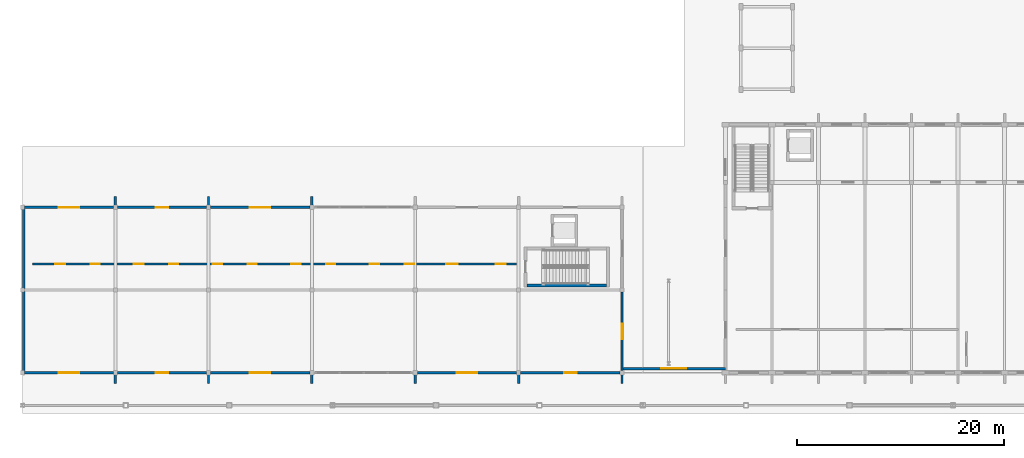
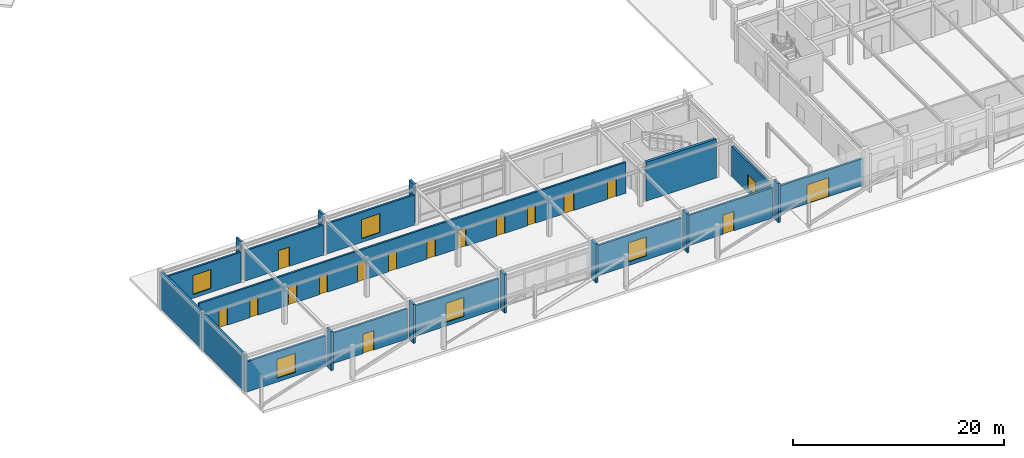
# One storey, part 25 of 61: 22 walls, 16 doors, 6 windows, 22 openings.
"""IFC4 building model written with IfcOpenShell, lengths in metres."""

from ifc_helpers import new_model, si_unit, direction, frame, frame_2d, origin, place, context, subcontext, project, spatial, rectangle, extrude, material, layer, layer_set, type_object, element, fill, save


model = new_model("IFC4")

# Units and contexts
model_context = context("Model", 3, precision=1e-05, world=origin(), true_north=direction((0.0, 1.0)))
body_context = subcontext(model_context, "Body", "Model", "MODEL_VIEW")
ifc_project = project(units=[si_unit("LENGTHUNIT", "METRE"), si_unit("AREAUNIT", "SQUARE_METRE"), si_unit("VOLUMEUNIT", "CUBIC_METRE"), si_unit("PLANEANGLEUNIT", "RADIAN"), si_unit("MASSUNIT", "GRAM", prefix="KILO")], contexts=[model_context])

# Site, building, storey
site_placement = place(None, origin())
site = spatial("IfcSite", under=ifc_project, at=site_placement, CompositionType="ELEMENT")
building_placement = place(site_placement, origin())
building = spatial("IfcBuilding", under=site, at=building_placement, Name="Zimvara Arc Housing Community", CompositionType="ELEMENT")
storey_placement = place(building_placement, origin())
storey = spatial("IfcBuildingStorey", under=building, at=storey_placement, Name="L00", CompositionType="ELEMENT", Elevation=0.0)

# Wall, opening, door
ifc_material_1 = material(Name="Board-Marked Fair-Faced Concrete C35/45", Category="concrete")
ifc_layer_1 = layer(ifc_material_1, 0.219970703125)
ifc_layer_set_1 = layer_set([ifc_layer_1], Name="Board-Marked Fair-Faced Concrete C35/45")
wall_type_1 = type_object("IfcWallType", Name="EWL-CONC-220", PredefinedType="SOLIDWALL", material=ifc_layer_set_1)
wall_1_placement = place(storey_placement, frame((58.0, 4.0, 0.0), z_axis=(0.0, 0.0, 1.0), x_axis=(1.0, 0.0, 0.0)))
wall_1 = element("IfcWall", 1, at=wall_1_placement, inside=storey, type_object=wall_type_1, Name="ewall:gate_host:court_w", PredefinedType="SOLIDWALL", context=body_context, shape_type="SweptSolid", body=[
    extrude(rectangle(XDim=10.0, YDim=0.219970703125, at=frame_2d((5.0, 0.0))), origin(), (0.0, 0.0, 1.0), 3.10009765625),
])
opening_1_placement = place(wall_1_placement, frame((3.800048828125, 0.0, 0.0)))
opening_1 = element("IfcOpeningElement", 2, at=opening_1_placement, cuts=wall_1, Name="Opening GT02", PredefinedType="OPENING", context=body_context, shape_type="SweptSolid", body=[
    extrude(rectangle(XDim=2.39990234375, YDim=2.199951171875, at=frame_2d((1.199951171875, 1.10009765625))), frame((0.0, 0.119873046875, 0.0), z_axis=(0.0, -1.0, 0.0), x_axis=(1.0, 0.0, 0.0)), (0.0, 0.0, 1.0), 0.239990234375),
])
ifc_material_2 = material(Name="Anodised Aluminium AW-6063", Category="aluminium")
door_type_1 = type_object("IfcDoorType", Name="GTE-SERV-2400x2200", OperationType="DOUBLE_DOOR_SINGLE_SWING", PredefinedType="GATE", material=ifc_material_2)
door_1_placement = place(opening_1_placement, origin())
door_1 = element("IfcDoor", 3, at=door_1_placement, inside=storey, type_object=door_type_1, Name="gate:court_w", OperationType="DOUBLE_DOOR_SINGLE_SWING", OverallHeight=2.199951171875, OverallWidth=2.39990234375, PredefinedType="GATE", context=body_context, shape_type="SweptSolid", body=[
    extrude(rectangle(XDim=2.39990234375, YDim=2.199951171875, at=frame_2d((1.199951171875, 1.10009765625))), frame((0.0, 0.02490234375, 0.0), z_axis=(0.0, -1.0, 0.0), x_axis=(1.0, 0.0, 0.0)), (0.0, 0.0, 1.0), 0.050048828125),
])
fill(opening_1, door_1)

# Walls
ifc_material_3 = material(Name="Board-Marked Fair-Faced Concrete C35/45", Category="concrete")
ifc_layer_2 = layer(ifc_material_3, 0.219970703125)
ifc_layer_set_2 = layer_set([ifc_layer_2], Name="Board-Marked Fair-Faced Concrete C35/45")
wall_type_2 = type_object("IfcWallType", Name="EWL-PARA-220", PredefinedType="PARAPET", material=ifc_layer_set_2)
for number, where, z_axis, x_axis, name in (
    (4, (9.0, 2.550048828125, 0.0), (0.0, 0.0, 1.0), (0.0, 1.0, 0.0), "finwall:shops:L00:s:1"),
    (5, (9.0, 19.780029296875, 0.0), (0.0, 0.0, 1.0), (0.0, 1.0, 0.0), "finwall:shops:L00:n:1"),
    (6, (18.0, 2.550048828125, 0.0), (0.0, 0.0, 1.0), (0.0, 1.0, 0.0), "finwall:shops:L00:s:2"),
    (7, (18.0, 19.780029296875, 0.0), (0.0, 0.0, 1.0), (0.0, 1.0, 0.0), "finwall:shops:L00:n:2"),
    (8, (28.0, 2.550048828125, 0.0), (0.0, 0.0, 1.0), (0.0, 1.0, 0.0), "finwall:shops:L00:s:3"),
    (9, (28.0, 19.780029296875, 0.0), (0.0, 0.0, 1.0), (0.0, 1.0, 0.0), "finwall:shops:L00:n:3"),
    (10, (38.0, 2.550048828125, 0.0), (0.0, 0.0, 1.0), (0.0, 1.0, 0.0), "finwall:shops:L00:s:4"),
    (11, (48.0, 2.550048828125, 0.0), (0.0, 0.0, 1.0), (0.0, 1.0, 0.0), "finwall:shops:L00:s:5"),
    (12, (58.0, 2.550048828125, 0.0), (0.0, 0.0, 1.0), (0.0, 1.0, 0.0), "finwall:shops:L00:s:6"),
):
    element("IfcWall", number, at=place(storey_placement, frame(where, z_axis=z_axis, x_axis=x_axis)), inside=storey, type_object=wall_type_2, Name=name, PredefinedType="PARAPET", context=body_context, shape_type="SweptSolid", body=[
        extrude(rectangle(XDim=0.869873046875, YDim=0.219970703125, at=frame_2d((0.43505859375, 0.0))), origin(), (0.0, 0.0, 1.0), 4.5),
    ])

# Wall, opening, window
ifc_material_4 = material(Name="Board-Marked Fair-Faced Concrete C35/45", Category="concrete")
ifc_layer_3 = layer(ifc_material_4, 0.215087890625)
ifc_layer_set_3 = layer_set([ifc_layer_3], Name="Board-Marked Fair-Faced Concrete C35/45")
wall_type_3 = type_object("IfcWallType", Name="EWL-SHOP-215", PredefinedType="SOLIDWALL", material=ifc_layer_set_3)
wall_2_placement = place(storey_placement, frame((0.195068359375, 3.60009765625, 0.0), z_axis=(0.0, 0.0, 1.0), x_axis=(1.0, 0.0, 0.0)))
wall_2 = element("IfcWall", 13, at=wall_2_placement, inside=storey, type_object=wall_type_3, Name="ewall:shops:L00:south:b0", PredefinedType="SOLIDWALL", context=body_context, shape_type="SweptSolid", body=[
    extrude(rectangle(XDim=8.60986328125, YDim=0.215087890625, at=frame_2d((4.304931640625, 0.0))), origin(), (0.0, 0.0, 1.0), 3.5),
])
opening_2_placement = place(wall_2_placement, frame((3.304931640625, 0.0, 0.449951171875)))
opening_2 = element("IfcOpeningElement", 14, at=opening_2_placement, cuts=wall_2, Name="Opening W19", PredefinedType="OPENING", context=body_context, shape_type="SweptSolid", body=[
    extrude(rectangle(XDim=2.0, YDim=2.199951171875, at=frame_2d((1.0, 1.10009765625))), frame((0.0, 0.117431640625, 0.0), z_axis=(0.0, -1.0, 0.0), x_axis=(1.0, 0.0, 0.0)), (0.0, 0.0, 1.0), 0.235107421875),
])
ifc_material_5 = material(Name="Solar Control Low-E Double Glazing", Category="glass")
window_type_1 = type_object("IfcWindowType", Name="WIN-SHOP-2000x2200", PartitioningType="DOUBLE_PANEL_VERTICAL", PredefinedType="WINDOW", material=ifc_material_5)
window_1_placement = place(opening_2_placement, origin())
window_1 = element("IfcWindow", 15, at=window_1_placement, inside=storey, type_object=window_type_1, Name="win:shops:L00:south:b0", OverallHeight=2.199951171875, OverallWidth=2.0, PartitioningType="DOUBLE_PANEL_VERTICAL", PredefinedType="WINDOW", context=body_context, shape_type="SweptSolid", body=[
    extrude(rectangle(XDim=2.0, YDim=2.199951171875, at=frame_2d((1.0, 1.10009765625))), frame((0.0, 0.030029296875, 0.0), z_axis=(0.0, -1.0, 0.0), x_axis=(1.0, 0.0, 0.0)), (0.0, 0.0, 1.0), 0.06005859375),
])
fill(opening_2, window_1)

# Wall, opening, door
wall_3_placement = place(storey_placement, frame((9.195068359375, 3.60009765625, 0.0), z_axis=(0.0, 0.0, 1.0), x_axis=(1.0, 0.0, 0.0)))
wall_3 = element("IfcWall", 16, at=wall_3_placement, inside=storey, type_object=wall_type_3, Name="ewall:shops:L00:south:b1", PredefinedType="SOLIDWALL", context=body_context, shape_type="SweptSolid", body=[
    extrude(rectangle(XDim=8.60986328125, YDim=0.215087890625, at=frame_2d((4.304931640625, 0.0))), origin(), (0.0, 0.0, 1.0), 3.5),
])
opening_3_placement = place(wall_3_placement, frame((3.705078125, 0.0, 0.0)))
opening_3 = element("IfcOpeningElement", 17, at=opening_3_placement, cuts=wall_3, Name="Opening ED04", PredefinedType="OPENING", context=body_context, shape_type="SweptSolid", body=[
    extrude(rectangle(XDim=1.199951171875, YDim=2.25, at=frame_2d((0.60009765625, 1.125))), frame((0.0, 0.117431640625, 0.0), z_axis=(0.0, -1.0, 0.0), x_axis=(1.0, 0.0, 0.0)), (0.0, 0.0, 1.0), 0.235107421875),
])
ifc_material_6 = material(Name="Anodised Aluminium AW-6063", Category="aluminium")
door_type_2 = type_object("IfcDoorType", Name="EDR-SHOP-1200x2250", OperationType="NOTDEFINED", PredefinedType="DOOR", material=ifc_material_6)
door_2_placement = place(opening_3_placement, origin())
door_2 = element("IfcDoor", 18, at=door_2_placement, inside=storey, type_object=door_type_2, Name="edoor:shops:L00:south:b1", OperationType="SINGLE_SWING_RIGHT", OverallHeight=2.25, OverallWidth=1.199951171875, PredefinedType="DOOR", context=body_context, shape_type="SweptSolid", body=[
    extrude(rectangle(XDim=1.199951171875, YDim=2.25, at=frame_2d((0.60009765625, 1.125))), frame((0.0, 0.02490234375, 0.0), z_axis=(0.0, -1.0, 0.0), x_axis=(1.0, 0.0, 0.0)), (0.0, 0.0, 1.0), 0.050048828125),
])
fill(opening_3, door_2)

# Wall, opening, window
wall_4_placement = place(storey_placement, frame((18.195068359375, 3.60009765625, 0.0), z_axis=(0.0, 0.0, 1.0), x_axis=(1.0, 0.0, 0.0)))
wall_4 = element("IfcWall", 19, at=wall_4_placement, inside=storey, type_object=wall_type_3, Name="ewall:shops:L00:south:b2", PredefinedType="SOLIDWALL", context=body_context, shape_type="SweptSolid", body=[
    extrude(rectangle(XDim=9.60986328125, YDim=0.215087890625, at=frame_2d((4.804931640625, 0.0))), origin(), (0.0, 0.0, 1.0), 3.5),
])
opening_4_placement = place(wall_4_placement, frame((3.804931640625, 0.0, 0.449951171875)))
opening_4 = element("IfcOpeningElement", 20, at=opening_4_placement, cuts=wall_4, Name="Opening W19", PredefinedType="OPENING", context=body_context, shape_type="SweptSolid", body=[
    extrude(rectangle(XDim=2.0, YDim=2.199951171875, at=frame_2d((1.0, 1.10009765625))), frame((0.0, 0.117431640625, 0.0), z_axis=(0.0, -1.0, 0.0), x_axis=(1.0, 0.0, 0.0)), (0.0, 0.0, 1.0), 0.235107421875),
])
window_2_placement = place(opening_4_placement, origin())
window_2 = element("IfcWindow", 21, at=window_2_placement, inside=storey, type_object=window_type_1, Name="win:shops:L00:south:b2", OverallHeight=2.199951171875, OverallWidth=2.0, PartitioningType="DOUBLE_PANEL_VERTICAL", PredefinedType="WINDOW", context=body_context, shape_type="SweptSolid", body=[
    extrude(rectangle(XDim=2.0, YDim=2.199951171875, at=frame_2d((1.0, 1.10009765625))), frame((0.0, 0.030029296875, 0.0), z_axis=(0.0, -1.0, 0.0), x_axis=(1.0, 0.0, 0.0)), (0.0, 0.0, 1.0), 0.06005859375),
])
fill(opening_4, window_2)

wall_5_placement = place(storey_placement, frame((38.195068359375, 3.60009765625, 0.0), z_axis=(0.0, 0.0, 1.0), x_axis=(1.0, 0.0, 0.0)))
wall_5 = element("IfcWall", 22, at=wall_5_placement, inside=storey, type_object=wall_type_3, Name="ewall:shops:L00:south:b4", PredefinedType="SOLIDWALL", context=body_context, shape_type="SweptSolid", body=[
    extrude(rectangle(XDim=9.60986328125, YDim=0.215087890625, at=frame_2d((4.804931640625, 0.0))), origin(), (0.0, 0.0, 1.0), 3.5),
])
opening_5_placement = place(wall_5_placement, frame((3.804931640625, 0.0, 0.449951171875)))
opening_5 = element("IfcOpeningElement", 23, at=opening_5_placement, cuts=wall_5, Name="Opening W19", PredefinedType="OPENING", context=body_context, shape_type="SweptSolid", body=[
    extrude(rectangle(XDim=2.0, YDim=2.199951171875, at=frame_2d((1.0, 1.10009765625))), frame((0.0, 0.117431640625, 0.0), z_axis=(0.0, -1.0, 0.0), x_axis=(1.0, 0.0, 0.0)), (0.0, 0.0, 1.0), 0.235107421875),
])
window_3_placement = place(opening_5_placement, origin())
window_3 = element("IfcWindow", 24, at=window_3_placement, inside=storey, type_object=window_type_1, Name="win:shops:L00:south:b4", OverallHeight=2.199951171875, OverallWidth=2.0, PartitioningType="DOUBLE_PANEL_VERTICAL", PredefinedType="WINDOW", context=body_context, shape_type="SweptSolid", body=[
    extrude(rectangle(XDim=2.0, YDim=2.199951171875, at=frame_2d((1.0, 1.10009765625))), frame((0.0, 0.030029296875, 0.0), z_axis=(0.0, -1.0, 0.0), x_axis=(1.0, 0.0, 0.0)), (0.0, 0.0, 1.0), 0.06005859375),
])
fill(opening_5, window_3)

# Wall, opening, door
wall_6_placement = place(storey_placement, frame((48.195068359375, 3.60009765625, 0.0), z_axis=(0.0, 0.0, 1.0), x_axis=(1.0, 0.0, 0.0)))
wall_6 = element("IfcWall", 25, at=wall_6_placement, inside=storey, type_object=wall_type_3, Name="ewall:shops:L00:south:b5", PredefinedType="SOLIDWALL", context=body_context, shape_type="SweptSolid", body=[
    extrude(rectangle(XDim=9.60986328125, YDim=0.215087890625, at=frame_2d((4.804931640625, 0.0))), origin(), (0.0, 0.0, 1.0), 3.5),
])
opening_6_placement = place(wall_6_placement, frame((4.205078125, 0.0, 0.0)))
opening_6 = element("IfcOpeningElement", 26, at=opening_6_placement, cuts=wall_6, Name="Opening ED04", PredefinedType="OPENING", context=body_context, shape_type="SweptSolid", body=[
    extrude(rectangle(XDim=1.199951171875, YDim=2.25, at=frame_2d((0.60009765625, 1.125))), frame((0.0, 0.117431640625, 0.0), z_axis=(0.0, -1.0, 0.0), x_axis=(1.0, 0.0, 0.0)), (0.0, 0.0, 1.0), 0.235107421875),
])
door_3_placement = place(opening_6_placement, origin())
door_3 = element("IfcDoor", 27, at=door_3_placement, inside=storey, type_object=door_type_2, Name="edoor:shops:L00:south:b5", OperationType="SINGLE_SWING_RIGHT", OverallHeight=2.25, OverallWidth=1.199951171875, PredefinedType="DOOR", context=body_context, shape_type="SweptSolid", body=[
    extrude(rectangle(XDim=1.199951171875, YDim=2.25, at=frame_2d((0.60009765625, 1.125))), frame((0.0, 0.02490234375, 0.0), z_axis=(0.0, -1.0, 0.0), x_axis=(1.0, 0.0, 0.0)), (0.0, 0.0, 1.0), 0.050048828125),
])
fill(opening_6, door_3)

# Wall, opening, window
wall_7_placement = place(storey_placement, frame((0.195068359375, 19.60009765625, 0.0), z_axis=(0.0, 0.0, 1.0), x_axis=(1.0, 0.0, 0.0)))
wall_7 = element("IfcWall", 28, at=wall_7_placement, inside=storey, type_object=wall_type_3, Name="ewall:shops:L00:north:b0", PredefinedType="SOLIDWALL", context=body_context, shape_type="SweptSolid", body=[
    extrude(rectangle(XDim=8.60986328125, YDim=0.215087890625, at=frame_2d((4.304931640625, 0.0))), origin(), (0.0, 0.0, 1.0), 3.5),
])
opening_7_placement = place(wall_7_placement, frame((3.304931640625, 0.0, 0.449951171875)))
opening_7 = element("IfcOpeningElement", 29, at=opening_7_placement, cuts=wall_7, Name="Opening W19", PredefinedType="OPENING", context=body_context, shape_type="SweptSolid", body=[
    extrude(rectangle(XDim=2.0, YDim=2.199951171875, at=frame_2d((1.0, 1.10009765625))), frame((0.0, 0.117431640625, 0.0), z_axis=(0.0, -1.0, 0.0), x_axis=(1.0, 0.0, 0.0)), (0.0, 0.0, 1.0), 0.235107421875),
])
window_4_placement = place(opening_7_placement, origin())
window_4 = element("IfcWindow", 30, at=window_4_placement, inside=storey, type_object=window_type_1, Name="win:shops:L00:north:b0", OverallHeight=2.199951171875, OverallWidth=2.0, PartitioningType="DOUBLE_PANEL_VERTICAL", PredefinedType="WINDOW", context=body_context, shape_type="SweptSolid", body=[
    extrude(rectangle(XDim=2.0, YDim=2.199951171875, at=frame_2d((1.0, 1.10009765625))), frame((0.0, 0.030029296875, 0.0), z_axis=(0.0, -1.0, 0.0), x_axis=(1.0, 0.0, 0.0)), (0.0, 0.0, 1.0), 0.06005859375),
])
fill(opening_7, window_4)

# Wall, opening, door
wall_8_placement = place(storey_placement, frame((9.195068359375, 19.60009765625, 0.0), z_axis=(0.0, 0.0, 1.0), x_axis=(1.0, 0.0, 0.0)))
wall_8 = element("IfcWall", 31, at=wall_8_placement, inside=storey, type_object=wall_type_3, Name="ewall:shops:L00:north:b1", PredefinedType="SOLIDWALL", context=body_context, shape_type="SweptSolid", body=[
    extrude(rectangle(XDim=8.60986328125, YDim=0.215087890625, at=frame_2d((4.304931640625, 0.0))), origin(), (0.0, 0.0, 1.0), 3.5),
])
opening_8_placement = place(wall_8_placement, frame((3.705078125, 0.0, 0.0)))
opening_8 = element("IfcOpeningElement", 32, at=opening_8_placement, cuts=wall_8, Name="Opening ED04", PredefinedType="OPENING", context=body_context, shape_type="SweptSolid", body=[
    extrude(rectangle(XDim=1.199951171875, YDim=2.25, at=frame_2d((0.60009765625, 1.125))), frame((0.0, 0.117431640625, 0.0), z_axis=(0.0, -1.0, 0.0), x_axis=(1.0, 0.0, 0.0)), (0.0, 0.0, 1.0), 0.235107421875),
])
door_4_placement = place(opening_8_placement, origin())
door_4 = element("IfcDoor", 33, at=door_4_placement, inside=storey, type_object=door_type_2, Name="edoor:shops:L00:north:b1", OperationType="SINGLE_SWING_RIGHT", OverallHeight=2.25, OverallWidth=1.199951171875, PredefinedType="DOOR", context=body_context, shape_type="SweptSolid", body=[
    extrude(rectangle(XDim=1.199951171875, YDim=2.25, at=frame_2d((0.60009765625, 1.125))), frame((0.0, 0.02490234375, 0.0), z_axis=(0.0, -1.0, 0.0), x_axis=(1.0, 0.0, 0.0)), (0.0, 0.0, 1.0), 0.050048828125),
])
fill(opening_8, door_4)

# Wall, opening, window
wall_9_placement = place(storey_placement, frame((18.195068359375, 19.60009765625, 0.0), z_axis=(0.0, 0.0, 1.0), x_axis=(1.0, 0.0, 0.0)))
wall_9 = element("IfcWall", 34, at=wall_9_placement, inside=storey, type_object=wall_type_3, Name="ewall:shops:L00:north:b2", PredefinedType="SOLIDWALL", context=body_context, shape_type="SweptSolid", body=[
    extrude(rectangle(XDim=9.60986328125, YDim=0.215087890625, at=frame_2d((4.804931640625, 0.0))), origin(), (0.0, 0.0, 1.0), 3.5),
])
opening_9_placement = place(wall_9_placement, frame((3.804931640625, 0.0, 0.449951171875)))
opening_9 = element("IfcOpeningElement", 35, at=opening_9_placement, cuts=wall_9, Name="Opening W19", PredefinedType="OPENING", context=body_context, shape_type="SweptSolid", body=[
    extrude(rectangle(XDim=2.0, YDim=2.199951171875, at=frame_2d((1.0, 1.10009765625))), frame((0.0, 0.117431640625, 0.0), z_axis=(0.0, -1.0, 0.0), x_axis=(1.0, 0.0, 0.0)), (0.0, 0.0, 1.0), 0.235107421875),
])
window_5_placement = place(opening_9_placement, origin())
window_5 = element("IfcWindow", 36, at=window_5_placement, inside=storey, type_object=window_type_1, Name="win:shops:L00:north:b2", OverallHeight=2.199951171875, OverallWidth=2.0, PartitioningType="DOUBLE_PANEL_VERTICAL", PredefinedType="WINDOW", context=body_context, shape_type="SweptSolid", body=[
    extrude(rectangle(XDim=2.0, YDim=2.199951171875, at=frame_2d((1.0, 1.10009765625))), frame((0.0, 0.030029296875, 0.0), z_axis=(0.0, -1.0, 0.0), x_axis=(1.0, 0.0, 0.0)), (0.0, 0.0, 1.0), 0.06005859375),
])
fill(opening_9, window_5)

wall_10_placement = place(storey_placement, frame((58.0, 3.794921875, 0.0), z_axis=(0.0, 0.0, 1.0), x_axis=(0.0, 1.0, 0.0)))
wall_10 = element("IfcWall", 37, at=wall_10_placement, inside=storey, type_object=wall_type_3, Name="ewall:shops:L00:east:b0", PredefinedType="SOLIDWALL", context=body_context, shape_type="SweptSolid", body=[
    extrude(rectangle(XDim=7.610107421875, YDim=0.215087890625, at=frame_2d((3.80517578125, 0.0))), origin(), (0.0, 0.0, 1.0), 3.5),
])
opening_10_placement = place(wall_10_placement, frame((3.054931640625, 0.0, 0.449951171875)))
opening_10 = element("IfcOpeningElement", 38, at=opening_10_placement, cuts=wall_10, Name="Opening W07", PredefinedType="OPENING", context=body_context, shape_type="SweptSolid", body=[
    extrude(rectangle(XDim=1.5, YDim=1.64990234375, at=frame_2d((0.75, 0.824951171875))), frame((0.0, 0.117431640625, 0.0), z_axis=(0.0, -1.0, 0.0), x_axis=(1.0, 0.0, 0.0)), (0.0, 0.0, 1.0), 0.235107421875),
])
ifc_material_7 = material(Name="Solar Control Low-E Double Glazing", Category="glass")
window_type_2 = type_object("IfcWindowType", Name="WIN-RES-1500x1650", PartitioningType="DOUBLE_PANEL_VERTICAL", PredefinedType="WINDOW", material=ifc_material_7)
window_6_placement = place(opening_10_placement, origin())
window_6 = element("IfcWindow", 39, at=window_6_placement, inside=storey, type_object=window_type_2, Name="win:shops:L00:east:b0", OverallHeight=1.64990234375, OverallWidth=1.5, PartitioningType="DOUBLE_PANEL_VERTICAL", PredefinedType="WINDOW", context=body_context, shape_type="SweptSolid", body=[
    extrude(rectangle(XDim=1.5, YDim=1.64990234375, at=frame_2d((0.75, 0.824951171875))), frame((0.0, 0.030029296875, 0.0), z_axis=(0.0, -1.0, 0.0), x_axis=(1.0, 0.0, 0.0)), (0.0, 0.0, 1.0), 0.06005859375),
])
fill(opening_10, window_6)

# Wall, openings, doors
ifc_material_8 = material(Name="Concrete C35/45", Category="concrete")
ifc_layer_4 = layer(ifc_material_8, 0.199951171875)
ifc_layer_set_4 = layer_set([ifc_layer_4], Name="Concrete C35/45")
wall_type_4 = type_object("IfcWallType", Name="IWL-CORR-200", PredefinedType="SOLIDWALL", material=ifc_layer_set_4)
wall_11_placement = place(storey_placement, frame((1.0, 14.10009765625, 0.0), z_axis=(0.0, 0.0, 1.0), x_axis=(1.0, 0.0, 0.0)))
wall_11 = element("IfcWall", 40, at=wall_11_placement, inside=storey, type_object=wall_type_4, Name="iwall:civ:shop_boh", PredefinedType="SOLIDWALL", context=body_context, shape_type="SweptSolid", body=[
    extrude(rectangle(XDim=46.800048828125, YDim=0.199951171875, at=frame_2d((23.39990234375, 0.0))), origin(), (0.0, 0.0, 1.0), 3.60009765625),
])
opening_11_placement = place(wall_11_placement, frame((2.199951171875, 0.0, 0.0)))
opening_11 = element("IfcOpeningElement", 41, at=opening_11_placement, cuts=wall_11, Name="Opening D10", PredefinedType="OPENING", context=body_context, shape_type="SweptSolid", body=[
    extrude(rectangle(XDim=0.929931640625, YDim=2.10009765625, at=frame_2d((0.46484375, 1.050048828125))), frame((0.0, 0.10986328125, 0.0), z_axis=(0.0, -1.0, 0.0), x_axis=(1.0, 0.0, 0.0)), (0.0, 0.0, 1.0), 0.219970703125),
])
opening_12_placement = place(wall_11_placement, frame((5.60009765625, 0.0, 0.0)))
opening_12 = element("IfcOpeningElement", 42, at=opening_12_placement, cuts=wall_11, Name="Opening D05", PredefinedType="OPENING", context=body_context, shape_type="SweptSolid", body=[
    extrude(rectangle(XDim=0.8798828125, YDim=2.10009765625, at=frame_2d((0.43994140625, 1.050048828125))), frame((0.0, 0.10986328125, 0.0), z_axis=(0.0, -1.0, 0.0), x_axis=(1.0, 0.0, 0.0)), (0.0, 0.0, 1.0), 0.219970703125),
])
opening_13_placement = place(wall_11_placement, frame((9.800048828125, 0.0, 0.0)))
opening_13 = element("IfcOpeningElement", 43, at=opening_13_placement, cuts=wall_11, Name="Opening D10", PredefinedType="OPENING", context=body_context, shape_type="SweptSolid", body=[
    extrude(rectangle(XDim=0.929931640625, YDim=2.10009765625, at=frame_2d((0.46484375, 1.050048828125))), frame((0.0, 0.10986328125, 0.0), z_axis=(0.0, -1.0, 0.0), x_axis=(1.0, 0.0, 0.0)), (0.0, 0.0, 1.0), 0.219970703125),
])
opening_14_placement = place(wall_11_placement, frame((13.199951171875, 0.0, 0.0)))
opening_14 = element("IfcOpeningElement", 44, at=opening_14_placement, cuts=wall_11, Name="Opening D05", PredefinedType="OPENING", context=body_context, shape_type="SweptSolid", body=[
    extrude(rectangle(XDim=0.8798828125, YDim=2.10009765625, at=frame_2d((0.43994140625, 1.050048828125))), frame((0.0, 0.10986328125, 0.0), z_axis=(0.0, -1.0, 0.0), x_axis=(1.0, 0.0, 0.0)), (0.0, 0.0, 1.0), 0.219970703125),
])
opening_15_placement = place(wall_11_placement, frame((17.39990234375, 0.0, 0.0)))
opening_15 = element("IfcOpeningElement", 45, at=opening_15_placement, cuts=wall_11, Name="Opening D10", PredefinedType="OPENING", context=body_context, shape_type="SweptSolid", body=[
    extrude(rectangle(XDim=0.929931640625, YDim=2.10009765625, at=frame_2d((0.46484375, 1.050048828125))), frame((0.0, 0.10986328125, 0.0), z_axis=(0.0, -1.0, 0.0), x_axis=(1.0, 0.0, 0.0)), (0.0, 0.0, 1.0), 0.219970703125),
])
opening_16_placement = place(wall_11_placement, frame((20.800048828125, 0.0, 0.0)))
opening_16 = element("IfcOpeningElement", 46, at=opening_16_placement, cuts=wall_11, Name="Opening D05", PredefinedType="OPENING", context=body_context, shape_type="SweptSolid", body=[
    extrude(rectangle(XDim=0.8798828125, YDim=2.10009765625, at=frame_2d((0.43994140625, 1.050048828125))), frame((0.0, 0.10986328125, 0.0), z_axis=(0.0, -1.0, 0.0), x_axis=(1.0, 0.0, 0.0)), (0.0, 0.0, 1.0), 0.219970703125),
])
opening_17_placement = place(wall_11_placement, frame((25.0, 0.0, 0.0)))
opening_17 = element("IfcOpeningElement", 47, at=opening_17_placement, cuts=wall_11, Name="Opening D10", PredefinedType="OPENING", context=body_context, shape_type="SweptSolid", body=[
    extrude(rectangle(XDim=0.929931640625, YDim=2.10009765625, at=frame_2d((0.46484375, 1.050048828125))), frame((0.0, 0.10986328125, 0.0), z_axis=(0.0, -1.0, 0.0), x_axis=(1.0, 0.0, 0.0)), (0.0, 0.0, 1.0), 0.219970703125),
])
opening_18_placement = place(wall_11_placement, frame((28.39990234375, 0.0, 0.0)))
opening_18 = element("IfcOpeningElement", 48, at=opening_18_placement, cuts=wall_11, Name="Opening D05", PredefinedType="OPENING", context=body_context, shape_type="SweptSolid", body=[
    extrude(rectangle(XDim=0.8798828125, YDim=2.10009765625, at=frame_2d((0.43994140625, 1.050048828125))), frame((0.0, 0.10986328125, 0.0), z_axis=(0.0, -1.0, 0.0), x_axis=(1.0, 0.0, 0.0)), (0.0, 0.0, 1.0), 0.219970703125),
])
opening_19_placement = place(wall_11_placement, frame((32.60009765625, 0.0, 0.0)))
opening_19 = element("IfcOpeningElement", 49, at=opening_19_placement, cuts=wall_11, Name="Opening D10", PredefinedType="OPENING", context=body_context, shape_type="SweptSolid", body=[
    extrude(rectangle(XDim=0.929931640625, YDim=2.10009765625, at=frame_2d((0.46484375, 1.050048828125))), frame((0.0, 0.10986328125, 0.0), z_axis=(0.0, -1.0, 0.0), x_axis=(1.0, 0.0, 0.0)), (0.0, 0.0, 1.0), 0.219970703125),
])
opening_20_placement = place(wall_11_placement, frame((36.0, 0.0, 0.0)))
opening_20 = element("IfcOpeningElement", 50, at=opening_20_placement, cuts=wall_11, Name="Opening D05", PredefinedType="OPENING", context=body_context, shape_type="SweptSolid", body=[
    extrude(rectangle(XDim=0.8798828125, YDim=2.10009765625, at=frame_2d((0.43994140625, 1.050048828125))), frame((0.0, 0.10986328125, 0.0), z_axis=(0.0, -1.0, 0.0), x_axis=(1.0, 0.0, 0.0)), (0.0, 0.0, 1.0), 0.219970703125),
])
opening_21_placement = place(wall_11_placement, frame((40.0, 0.0, 0.0)))
opening_21 = element("IfcOpeningElement", 51, at=opening_21_placement, cuts=wall_11, Name="Opening D07", PredefinedType="OPENING", context=body_context, shape_type="SweptSolid", body=[
    extrude(rectangle(XDim=1.1201171875, YDim=2.14990234375, at=frame_2d((0.56005859375, 1.074951171875))), frame((0.0, 0.10986328125, 0.0), z_axis=(0.0, -1.0, 0.0), x_axis=(1.0, 0.0, 0.0)), (0.0, 0.0, 1.0), 0.219970703125),
])
opening_22_placement = place(wall_11_placement, frame((44.800048828125, 0.0, 0.0)))
opening_22 = element("IfcOpeningElement", 52, at=opening_22_placement, cuts=wall_11, Name="Opening D06", PredefinedType="OPENING", context=body_context, shape_type="SweptSolid", body=[
    extrude(rectangle(XDim=0.949951171875, YDim=2.10009765625, at=frame_2d((0.47509765625, 1.050048828125))), frame((0.0, 0.10986328125, 0.0), z_axis=(0.0, -1.0, 0.0), x_axis=(1.0, 0.0, 0.0)), (0.0, 0.0, 1.0), 0.219970703125),
])
ifc_material_9 = material(Name="Mozambican Hardwood", Category="wood")
door_type_3 = type_object("IfcDoorType", Name="IDR-AMN-1120x2150", OperationType="NOTDEFINED", PredefinedType="DOOR", material=ifc_material_9)
door_5_placement = place(opening_21_placement, origin())
door_5 = element("IfcDoor", 53, at=door_5_placement, inside=storey, type_object=door_type_3, Name="idoor:civ:cf_kit", OperationType="SINGLE_SWING_LEFT", OverallHeight=2.14990234375, OverallWidth=1.1201171875, PredefinedType="DOOR", context=body_context, shape_type="SweptSolid", body=[
    extrude(rectangle(XDim=1.1201171875, YDim=2.14990234375, at=frame_2d((0.56005859375, 1.074951171875))), frame((0.0, 0.02490234375, 0.0), z_axis=(0.0, -1.0, 0.0), x_axis=(1.0, 0.0, 0.0)), (0.0, 0.0, 1.0), 0.050048828125),
])
fill(opening_21, door_5)
ifc_material_10 = material(Name="Mozambican Hardwood", Category="wood")
door_type_4 = type_object("IfcDoorType", Name="IDR-AWC-0950x2100", OperationType="NOTDEFINED", PredefinedType="DOOR", material=ifc_material_10)
door_6_placement = place(opening_22_placement, origin())
door_6 = element("IfcDoor", 54, at=door_6_placement, inside=storey, type_object=door_type_4, Name="idoor:civ:cf_awc", OperationType="SINGLE_SWING_RIGHT", OverallHeight=2.10009765625, OverallWidth=0.949951171875, PredefinedType="DOOR", context=body_context, shape_type="SweptSolid", body=[
    extrude(rectangle(XDim=0.949951171875, YDim=2.10009765625, at=frame_2d((0.47509765625, 1.050048828125))), frame((0.0, 0.02490234375, 0.0), z_axis=(0.0, -1.0, 0.0), x_axis=(1.0, 0.0, 0.0)), (0.0, 0.0, 1.0), 0.050048828125),
])
fill(opening_22, door_6)
ifc_material_11 = material(Name="Mozambican Hardwood", Category="wood")
door_type_5 = type_object("IfcDoorType", Name="IDR-SHOP-0930x2100", OperationType="NOTDEFINED", PredefinedType="DOOR", material=ifc_material_11)
door_7_placement = place(opening_11_placement, origin())
door_7 = element("IfcDoor", 55, at=door_7_placement, inside=storey, type_object=door_type_5, Name="idoor:civ:sh1_s", OperationType="SINGLE_SWING_LEFT", OverallHeight=2.10009765625, OverallWidth=0.929931640625, PredefinedType="DOOR", context=body_context, shape_type="SweptSolid", body=[
    extrude(rectangle(XDim=0.929931640625, YDim=2.10009765625, at=frame_2d((0.46484375, 1.050048828125))), frame((0.0, 0.02490234375, 0.0), z_axis=(0.0, -1.0, 0.0), x_axis=(1.0, 0.0, 0.0)), (0.0, 0.0, 1.0), 0.050048828125),
])
fill(opening_11, door_7)
door_8_placement = place(opening_13_placement, origin())
door_8 = element("IfcDoor", 56, at=door_8_placement, inside=storey, type_object=door_type_5, Name="idoor:civ:sh2_s", OperationType="SINGLE_SWING_LEFT", OverallHeight=2.10009765625, OverallWidth=0.929931640625, PredefinedType="DOOR", context=body_context, shape_type="SweptSolid", body=[
    extrude(rectangle(XDim=0.929931640625, YDim=2.10009765625, at=frame_2d((0.46484375, 1.050048828125))), frame((0.0, 0.02490234375, 0.0), z_axis=(0.0, -1.0, 0.0), x_axis=(1.0, 0.0, 0.0)), (0.0, 0.0, 1.0), 0.050048828125),
])
fill(opening_13, door_8)
door_9_placement = place(opening_15_placement, origin())
door_9 = element("IfcDoor", 57, at=door_9_placement, inside=storey, type_object=door_type_5, Name="idoor:civ:sh3_s", OperationType="SINGLE_SWING_LEFT", OverallHeight=2.10009765625, OverallWidth=0.929931640625, PredefinedType="DOOR", context=body_context, shape_type="SweptSolid", body=[
    extrude(rectangle(XDim=0.929931640625, YDim=2.10009765625, at=frame_2d((0.46484375, 1.050048828125))), frame((0.0, 0.02490234375, 0.0), z_axis=(0.0, -1.0, 0.0), x_axis=(1.0, 0.0, 0.0)), (0.0, 0.0, 1.0), 0.050048828125),
])
fill(opening_15, door_9)
door_10_placement = place(opening_17_placement, origin())
door_10 = element("IfcDoor", 58, at=door_10_placement, inside=storey, type_object=door_type_5, Name="idoor:civ:sh4_s", OperationType="SINGLE_SWING_LEFT", OverallHeight=2.10009765625, OverallWidth=0.929931640625, PredefinedType="DOOR", context=body_context, shape_type="SweptSolid", body=[
    extrude(rectangle(XDim=0.929931640625, YDim=2.10009765625, at=frame_2d((0.46484375, 1.050048828125))), frame((0.0, 0.02490234375, 0.0), z_axis=(0.0, -1.0, 0.0), x_axis=(1.0, 0.0, 0.0)), (0.0, 0.0, 1.0), 0.050048828125),
])
fill(opening_17, door_10)
door_11_placement = place(opening_19_placement, origin())
door_11 = element("IfcDoor", 59, at=door_11_placement, inside=storey, type_object=door_type_5, Name="idoor:civ:sh5_s", OperationType="SINGLE_SWING_LEFT", OverallHeight=2.10009765625, OverallWidth=0.929931640625, PredefinedType="DOOR", context=body_context, shape_type="SweptSolid", body=[
    extrude(rectangle(XDim=0.929931640625, YDim=2.10009765625, at=frame_2d((0.46484375, 1.050048828125))), frame((0.0, 0.02490234375, 0.0), z_axis=(0.0, -1.0, 0.0), x_axis=(1.0, 0.0, 0.0)), (0.0, 0.0, 1.0), 0.050048828125),
])
fill(opening_19, door_11)
ifc_material_12 = material(Name="Mozambican Hardwood", Category="wood")
door_type_6 = type_object("IfcDoorType", Name="IDR-WC-0880x2100", OperationType="NOTDEFINED", PredefinedType="DOOR", material=ifc_material_12)
door_12_placement = place(opening_12_placement, origin())
door_12 = element("IfcDoor", 60, at=door_12_placement, inside=storey, type_object=door_type_6, Name="idoor:civ:sh1_w", OperationType="SINGLE_SWING_RIGHT", OverallHeight=2.10009765625, OverallWidth=0.8798828125, PredefinedType="DOOR", context=body_context, shape_type="SweptSolid", body=[
    extrude(rectangle(XDim=0.8798828125, YDim=2.10009765625, at=frame_2d((0.43994140625, 1.050048828125))), frame((0.0, 0.02490234375, 0.0), z_axis=(0.0, -1.0, 0.0), x_axis=(1.0, 0.0, 0.0)), (0.0, 0.0, 1.0), 0.050048828125),
])
fill(opening_12, door_12)
door_13_placement = place(opening_14_placement, origin())
door_13 = element("IfcDoor", 61, at=door_13_placement, inside=storey, type_object=door_type_6, Name="idoor:civ:sh2_w", OperationType="SINGLE_SWING_RIGHT", OverallHeight=2.10009765625, OverallWidth=0.8798828125, PredefinedType="DOOR", context=body_context, shape_type="SweptSolid", body=[
    extrude(rectangle(XDim=0.8798828125, YDim=2.10009765625, at=frame_2d((0.43994140625, 1.050048828125))), frame((0.0, 0.02490234375, 0.0), z_axis=(0.0, -1.0, 0.0), x_axis=(1.0, 0.0, 0.0)), (0.0, 0.0, 1.0), 0.050048828125),
])
fill(opening_14, door_13)
door_14_placement = place(opening_16_placement, origin())
door_14 = element("IfcDoor", 62, at=door_14_placement, inside=storey, type_object=door_type_6, Name="idoor:civ:sh3_w", OperationType="SINGLE_SWING_RIGHT", OverallHeight=2.10009765625, OverallWidth=0.8798828125, PredefinedType="DOOR", context=body_context, shape_type="SweptSolid", body=[
    extrude(rectangle(XDim=0.8798828125, YDim=2.10009765625, at=frame_2d((0.43994140625, 1.050048828125))), frame((0.0, 0.02490234375, 0.0), z_axis=(0.0, -1.0, 0.0), x_axis=(1.0, 0.0, 0.0)), (0.0, 0.0, 1.0), 0.050048828125),
])
fill(opening_16, door_14)
door_15_placement = place(opening_18_placement, origin())
door_15 = element("IfcDoor", 63, at=door_15_placement, inside=storey, type_object=door_type_6, Name="idoor:civ:sh4_w", OperationType="SINGLE_SWING_RIGHT", OverallHeight=2.10009765625, OverallWidth=0.8798828125, PredefinedType="DOOR", context=body_context, shape_type="SweptSolid", body=[
    extrude(rectangle(XDim=0.8798828125, YDim=2.10009765625, at=frame_2d((0.43994140625, 1.050048828125))), frame((0.0, 0.02490234375, 0.0), z_axis=(0.0, -1.0, 0.0), x_axis=(1.0, 0.0, 0.0)), (0.0, 0.0, 1.0), 0.050048828125),
])
fill(opening_18, door_15)
door_16_placement = place(opening_20_placement, origin())
door_16 = element("IfcDoor", 64, at=door_16_placement, inside=storey, type_object=door_type_6, Name="idoor:civ:sh5_w", OperationType="SINGLE_SWING_RIGHT", OverallHeight=2.10009765625, OverallWidth=0.8798828125, PredefinedType="DOOR", context=body_context, shape_type="SweptSolid", body=[
    extrude(rectangle(XDim=0.8798828125, YDim=2.10009765625, at=frame_2d((0.43994140625, 1.050048828125))), frame((0.0, 0.02490234375, 0.0), z_axis=(0.0, -1.0, 0.0), x_axis=(1.0, 0.0, 0.0)), (0.0, 0.0, 1.0), 0.050048828125),
])
fill(opening_20, door_16)

# Walls
ifc_material_13 = material(Name="Concrete C40/50", Category="concrete")
ifc_layer_5 = layer(ifc_material_13, 0.300048828125)
ifc_layer_set_5 = layer_set([ifc_layer_5], Name="Concrete C40/50")
wall_type_5 = type_object("IfcWallType", Name="WL-CORE-300", PredefinedType="SHEAR", material=ifc_layer_set_5)
wall_12_placement = place(storey_placement, frame((48.804931640625, 12.054931640625, 0.0), z_axis=(0.0, 0.0, 1.0), x_axis=(1.0, 0.0, 0.0)))
element("IfcWall", 65, at=wall_12_placement, inside=storey, type_object=wall_type_5, Name="cwall:ST-S1:L00:left", PredefinedType="SHEAR", context=body_context, shape_type="SweptSolid", body=[
    extrude(rectangle(XDim=7.690185546875, YDim=0.300048828125, at=frame_2d((3.84521484375, 0.0))), origin(), (0.0, 0.0, 1.0), 4.5),
])
ifc_material_14 = material(Name="Concrete C40/50", Category="concrete")
ifc_layer_6 = layer(ifc_material_14, 0.25)
ifc_layer_set_6 = layer_set([ifc_layer_6], Name="Concrete C40/50")
wall_type_6 = type_object("IfcWallType", Name="WL-PARTY-250", PredefinedType="SOLIDWALL", material=ifc_layer_set_6)
wall_13_placement = place(storey_placement, frame((0.14990234375, 3.60009765625, 0.0), z_axis=(0.0, 0.0, 1.0), x_axis=(0.0, 1.0, 0.0)))
element("IfcWall", 66, at=wall_13_placement, inside=storey, type_object=wall_type_6, Name="swall:shops:L00:party_west", PredefinedType="SOLIDWALL", context=body_context, shape_type="SweptSolid", body=[
    extrude(rectangle(XDim=16.0, YDim=0.25, at=frame_2d((8.0, 0.0))), origin(), (0.0, 0.0, 1.0), 4.2548828125),
])

save(model, "model.ifc")
